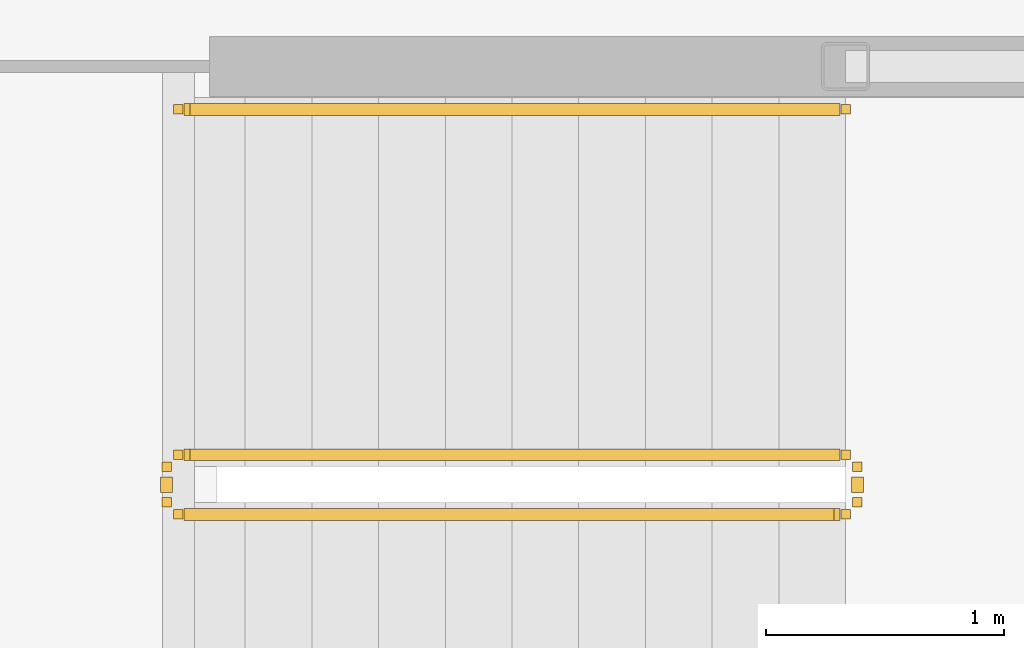
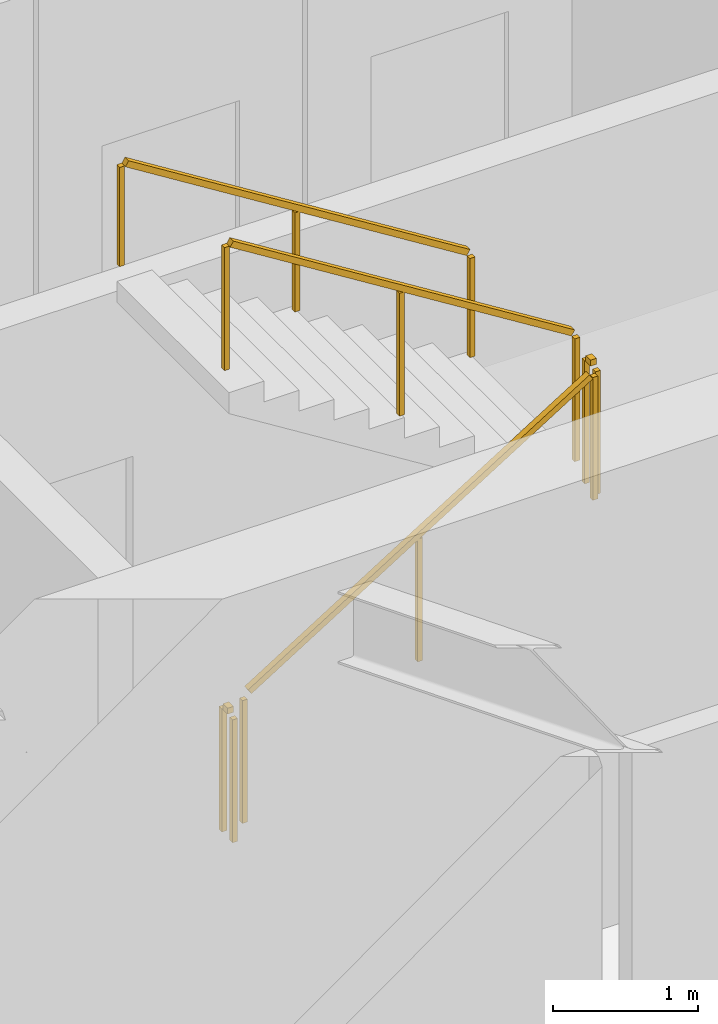
# One storey, part 28 of 31: 5 railings.
"""IFC4 building model written with IfcOpenShell, lengths in metres."""

from ifc_helpers import new_model, si_unit, direction, frame, origin, origin_2d, place, context, subcontext, project, spatial, rectangle, extrude, material, type_object, element, save


model = new_model("IFC4")

# Units and contexts
model_context = context("Model", 3, precision=1e-05, world=origin(), true_north=direction((0.0, 1.0)))
body_context = subcontext(model_context, "Body", "Model", "MODEL_VIEW")
ifc_project = project(units=[si_unit("LENGTHUNIT", "METRE"), si_unit("AREAUNIT", "SQUARE_METRE"), si_unit("VOLUMEUNIT", "CUBIC_METRE"), si_unit("PLANEANGLEUNIT", "RADIAN"), si_unit("MASSUNIT", "GRAM", prefix="KILO")], contexts=[model_context])

# Site, building, storey
site_placement = place(None, origin())
site = spatial("IfcSite", under=ifc_project, at=site_placement, CompositionType="ELEMENT")
building_placement = place(site_placement, origin())
building = spatial("IfcBuilding", under=site, at=building_placement, Name="Kazma Halo Residences", CompositionType="ELEMENT")
storey_placement = place(building_placement, frame((0.0, 0.0, 240.550048828125)))
storey = spatial("IfcBuildingStorey", under=building, at=storey_placement, Name="L60", CompositionType="ELEMENT", Elevation=240.550048828125)

# Railings
ifc_material_1 = material(Name="Painted Steel S355", Category="steel")
railing_type_1 = type_object("IfcRailingType", Name="RLG-STAIR-GRD-1100", PredefinedType="GUARDRAIL", material=ifc_material_1)
railing_1_placement = place(storey_placement, frame((53.199951171875, 35.5, 0.175048828125)))
element("IfcRailing", 1, at=railing_1_placement, inside=storey, type_object=railing_type_1, Name="L60 ST-03 stair guard 1", PredefinedType="GUARDRAIL", context=body_context, shape_type="SweptSolid", body=[
    extrude(rectangle(XDim=0.050048828125, YDim=0.050048828125, at=origin_2d()), frame((0.0361328125, 0.0, 1.09765625), z_axis=(0.848002457836, 0.0, 0.529992293815), x_axis=(0.0, 1.0, 0.0)), (0.0, 0.0, 1.0), 3.216796875),
    extrude(rectangle(XDim=0.0400390625, YDim=0.0400390625, at=origin_2d()), origin(), (0.0, 0.0, 1.0), 1.0380859375),
    extrude(rectangle(XDim=0.0400390625, YDim=0.0400390625, at=origin_2d()), frame((1.39990234375, 0.0, 0.875)), (0.0, 0.0, 1.0), 1.0380859375),
    extrude(rectangle(XDim=0.0400390625, YDim=0.0400390625, at=origin_2d()), frame((2.800048828125, 0.0, 1.75)), (0.0, 0.0, 1.0), 1.0380859375),
])
railing_2_placement = place(storey_placement, frame((56.050048828125, 35.550048828125, 1.925048828125)))
element("IfcRailing", 2, at=railing_2_placement, inside=storey, type_object=railing_type_1, Name="L60 ST-03 stair guard 2", PredefinedType="GUARDRAIL", context=body_context, shape_type="SweptSolid", body=[
    extrude(rectangle(XDim=0.050048828125, YDim=0.050048828125, at=origin_2d()), frame((0.0, 0.04248046875, 1.0751953125), z_axis=(0.0, 1.0, 0.0), x_axis=(-1.0, 0.0, 0.0)), (0.0, 0.0, 1.0), 0.06494140625),
    extrude(rectangle(XDim=0.0400390625, YDim=0.0400390625, at=origin_2d()), origin(), (0.0, 0.0, 1.0), 1.0380859375),
    extrude(rectangle(XDim=0.0400390625, YDim=0.0400390625, at=origin_2d()), frame((0.0, 0.14990234375, 0.0)), (0.0, 0.0, 1.0), 1.0380859375),
])
railing_3_placement = place(storey_placement, frame((56.0, 35.75, 2.099853515625)))
element("IfcRailing", 3, at=railing_3_placement, inside=storey, type_object=railing_type_1, Name="L60 ST-03 stair guard 3", PredefinedType="GUARDRAIL", context=body_context, shape_type="SweptSolid", body=[
    extrude(rectangle(XDim=0.050048828125, YDim=0.050048828125, at=origin_2d()), frame((-0.0361328125, 0.0, 1.09765625), z_axis=(-0.848002457836, 0.0, 0.529992293815), x_axis=(0.0, -1.0, 0.0)), (0.0, 0.0, 1.0), 3.216796875),
    extrude(rectangle(XDim=0.0400390625, YDim=0.0400390625, at=origin_2d()), origin(), (0.0, 0.0, 1.0), 1.0380859375),
    extrude(rectangle(XDim=0.0400390625, YDim=0.0400390625, at=origin_2d()), frame((-1.39990234375, 0.0, 0.875)), (0.0, 0.0, 1.0), 1.0380859375),
    extrude(rectangle(XDim=0.0400390625, YDim=0.0400390625, at=origin_2d()), frame((-2.800048828125, 0.0, 1.75)), (0.0, 0.0, 1.0), 1.0380859375),
])
railing_4_placement = place(storey_placement, frame((53.14990234375, 35.550048828125, 0.0)))
element("IfcRailing", 4, at=railing_4_placement, inside=storey, type_object=railing_type_1, Name="L60 ST-03 stair guard 4", PredefinedType="GUARDRAIL", context=body_context, shape_type="SweptSolid", body=[
    extrude(rectangle(XDim=0.050048828125, YDim=0.050048828125, at=origin_2d()), frame((0.0, 0.04248046875, 1.0751953125), z_axis=(0.0, 1.0, 0.0), x_axis=(-1.0, 0.0, 0.0)), (0.0, 0.0, 1.0), 0.06494140625),
    extrude(rectangle(XDim=0.0400390625, YDim=0.0400390625, at=origin_2d()), origin(), (0.0, 0.0, 1.0), 1.0380859375),
    extrude(rectangle(XDim=0.0400390625, YDim=0.0400390625, at=origin_2d()), frame((0.0, 0.14990234375, 0.0)), (0.0, 0.0, 1.0), 1.0380859375),
])
ifc_material_2 = material(Name="Brushed Stainless Steel", Category="steel")
railing_type_2 = type_object("IfcRailingType", Name="RLG-STAIR-HND-900", PredefinedType="HANDRAIL", material=ifc_material_2)
railing_5_placement = place(storey_placement, frame((56.0, 37.199951171875, 2.099853515625)))
element("IfcRailing", 5, at=railing_5_placement, inside=storey, type_object=railing_type_2, Name="L60 ST-03 stair handrail 2", PredefinedType="HANDRAIL", context=body_context, shape_type="SweptSolid", body=[
    extrude(rectangle(XDim=0.050048828125, YDim=0.050048828125, at=origin_2d()), frame((-0.0361328125, 0.0, 0.8974609375), z_axis=(-0.848002457836, 0.0, 0.529992293815), x_axis=(0.0, -1.0, 0.0)), (0.0, 0.0, 1.0), 3.216796875),
    extrude(rectangle(XDim=0.0400390625, YDim=0.0400390625, at=origin_2d()), origin(), (0.0, 0.0, 1.0), 0.837890625),
    extrude(rectangle(XDim=0.0400390625, YDim=0.0400390625, at=origin_2d()), frame((-1.39990234375, 0.0, 0.875)), (0.0, 0.0, 1.0), 0.837890625),
    extrude(rectangle(XDim=0.0400390625, YDim=0.0400390625, at=origin_2d()), frame((-2.800048828125, 0.0, 1.75)), (0.0, 0.0, 1.0), 0.837890625),
])

save(model, "model.ifc")
